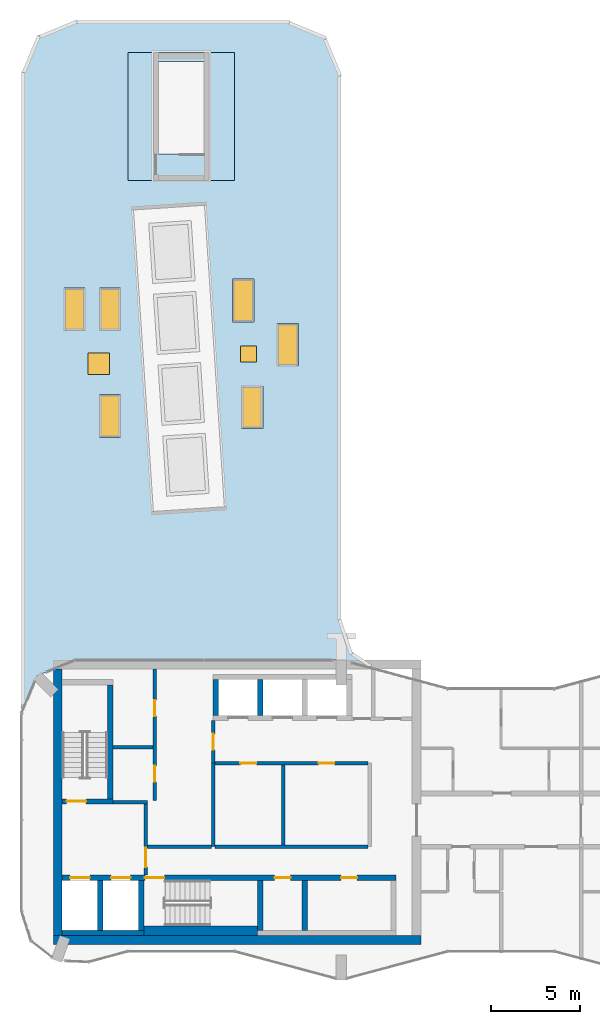
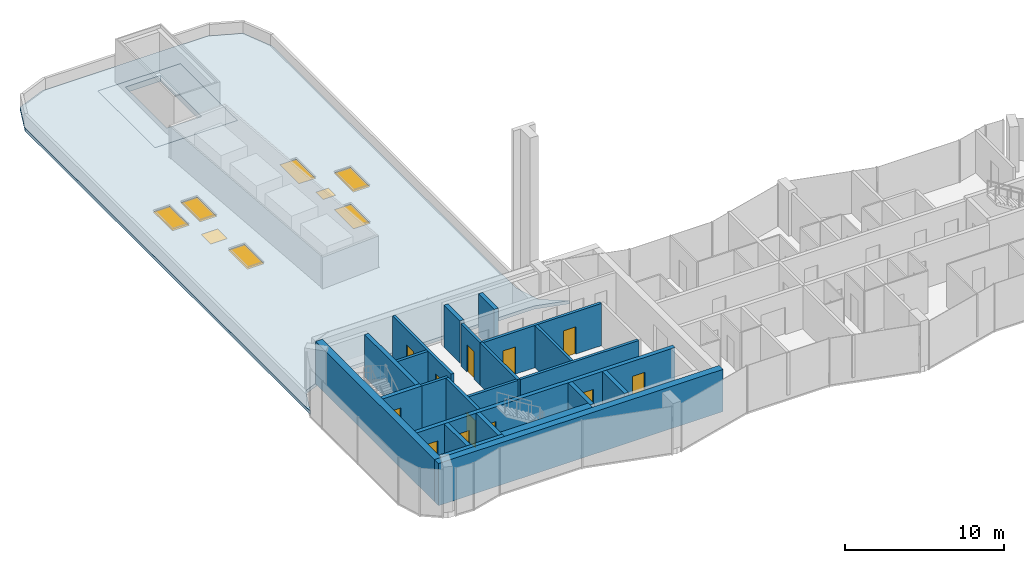
# One storey, part 7 of 13: 23 walls, 14 doors, 6 windows, 2 slabs, 20 openings.
"""IFC4 building model written with IfcOpenShell, lengths in metres."""

from ifc_helpers import new_model, si_unit, direction, frame, frame_2d, origin, origin_2d, place, context, subcontext, project, spatial, polyline, rectangle, outline, extrude, material, layer, layer_set, type_object, element, fill, save


model = new_model("IFC4")

# Units and contexts
model_context = context("Model", 3, precision=1e-05, world=origin(), true_north=direction((0.0, 1.0)))
body_context = subcontext(model_context, "Body", "Model", "MODEL_VIEW")
ifc_project = project(units=[si_unit("LENGTHUNIT", "METRE"), si_unit("AREAUNIT", "SQUARE_METRE"), si_unit("VOLUMEUNIT", "CUBIC_METRE"), si_unit("PLANEANGLEUNIT", "RADIAN"), si_unit("MASSUNIT", "GRAM", prefix="KILO")], contexts=[model_context])

# Site, building, storey
site_placement = place(None, origin())
site = spatial("IfcSite", under=ifc_project, at=site_placement, CompositionType="ELEMENT")
building_placement = place(site_placement, origin())
building = spatial("IfcBuilding", under=site, at=building_placement, Name="Plateau Cross Towers", CompositionType="ELEMENT")
storey_placement = place(building_placement, frame((0.0, 0.0, 229.39990234375)))
storey = spatial("IfcBuildingStorey", under=building, at=storey_placement, Name="L60", CompositionType="ELEMENT", Elevation=229.39990234375)

# Slab, openings, doors, windows
ifc_material_1 = material(Name="Concrete C40/50", Category="concrete")
ifc_layer_1 = layer(ifc_material_1, 0.25)
ifc_layer_set_1 = layer_set([ifc_layer_1], Name="Concrete C40/50")
slab_type_1 = type_object("IfcSlabType", Name="Post-tensioned roof slab 250", PredefinedType="ROOF", material=ifc_layer_set_1)
slab_1_placement = place(storey_placement, frame((0.0, 0.0, -0.25)))
slab_1 = element("IfcSlab", 1, at=slab_1_placement, inside=storey, type_object=slab_type_1, Name="SL-A-west-roof", PredefinedType="ROOF", context=body_context, shape_type="SweptSolid", body=[
    extrude(outline(polyline([(15.0, 54.0), (17.121337890625, 53.121337890625), (18.0, 51.0), (18.0, 20.30224609375), (18.6201171875, 18.475830078125), (20.21435546875, 17.410888671875), (20.212646484375, 17.407470703125), (18.0, 18.0), (3.0, 18.0), (0.878662109375, 17.121337890625), (0.00048828125, 15.001220703125), (0.0, 15.001220703125), (0.0, 51.0), (0.878662109375, 53.121337890625), (3.0, 54.0), (15.0, 54.0)]), holes=[polyline([(12.0, 52.199951171875), (6.0, 52.199951171875), (6.0, 45.0), (12.0, 45.0), (12.0, 52.199951171875)])]), origin(), (0.0, 0.0, 1.0), 0.25),
])
opening_1_placement = place(slab_1_placement, frame((12.780517578125, 35.244140625, 0.0)))
opening_1 = element("IfcOpeningElement", 2, at=opening_1_placement, cuts=slab_1, Name="Opening RH1", PredefinedType="OPENING", context=body_context, shape_type="SweptSolid", body=[
    extrude(rectangle(XDim=0.89990234375, YDim=0.89990234375, at=origin_2d()), origin(), (0.0, 0.0, 1.0), 0.25),
])
opening_2_placement = place(slab_1_placement, frame((4.35888671875, 34.68896484375, 0.0)))
opening_2 = element("IfcOpeningElement", 3, at=opening_2_placement, cuts=slab_1, Name="Opening RH2", PredefinedType="OPENING", context=body_context, shape_type="SweptSolid", body=[
    extrude(rectangle(XDim=1.199951171875, YDim=1.199951171875, at=origin_2d()), origin(), (0.0, 0.0, 1.0), 0.25),
])
opening_3_placement = place(slab_1_placement, frame((4.988037109375, 31.743896484375, 0.0)))
opening_3 = element("IfcOpeningElement", 4, at=opening_3_placement, cuts=slab_1, Name="Opening RL1", PredefinedType="OPENING", context=body_context, shape_type="SweptSolid", body=[
    extrude(rectangle(XDim=1.199951171875, YDim=2.39990234375, at=origin_2d()), origin(), (0.0, 0.0, 1.0), 0.25),
])
opening_4_placement = place(slab_1_placement, frame((12.988037109375, 32.243896484375, 0.0)))
opening_4 = element("IfcOpeningElement", 5, at=opening_4_placement, cuts=slab_1, Name="Opening RL1", PredefinedType="OPENING", context=body_context, shape_type="SweptSolid", body=[
    extrude(rectangle(XDim=1.199951171875, YDim=2.39990234375, at=origin_2d()), origin(), (0.0, 0.0, 1.0), 0.25),
])
opening_5_placement = place(slab_1_placement, frame((14.988037109375, 35.743896484375, 0.0)))
opening_5 = element("IfcOpeningElement", 6, at=opening_5_placement, cuts=slab_1, Name="Opening RL1", PredefinedType="OPENING", context=body_context, shape_type="SweptSolid", body=[
    extrude(rectangle(XDim=1.199951171875, YDim=2.39990234375, at=origin_2d()), origin(), (0.0, 0.0, 1.0), 0.25),
])
opening_6_placement = place(slab_1_placement, frame((2.988037109375, 37.743896484375, 0.0)))
opening_6 = element("IfcOpeningElement", 7, at=opening_6_placement, cuts=slab_1, Name="Opening RL1", PredefinedType="OPENING", context=body_context, shape_type="SweptSolid", body=[
    extrude(rectangle(XDim=1.199951171875, YDim=2.39990234375, at=origin_2d()), origin(), (0.0, 0.0, 1.0), 0.25),
])
opening_7_placement = place(slab_1_placement, frame((4.988037109375, 37.743896484375, 0.0)))
opening_7 = element("IfcOpeningElement", 8, at=opening_7_placement, cuts=slab_1, Name="Opening RL1", PredefinedType="OPENING", context=body_context, shape_type="SweptSolid", body=[
    extrude(rectangle(XDim=1.199951171875, YDim=2.39990234375, at=origin_2d()), origin(), (0.0, 0.0, 1.0), 0.25),
])
opening_8_placement = place(slab_1_placement, frame((12.488037109375, 38.243896484375, 0.0)))
opening_8 = element("IfcOpeningElement", 9, at=opening_8_placement, cuts=slab_1, Name="Opening RL1", PredefinedType="OPENING", context=body_context, shape_type="SweptSolid", body=[
    extrude(rectangle(XDim=1.199951171875, YDim=2.39990234375, at=origin_2d()), origin(), (0.0, 0.0, 1.0), 0.25),
])
ifc_material_2 = material(Name="Insulated aluminium", Category="aluminium")
door_type_1 = type_object("IfcDoorType", Name="Roof access hatch 1200", OperationType="SINGLE_SWING_LEFT", PredefinedType="TRAPDOOR", material=ifc_material_2)
door_1_placement = place(opening_2_placement, frame((0.0, 0.0, 0.199951171875)))
door_1 = element("IfcDoor", 10, at=door_1_placement, inside=storey, type_object=door_type_1, Name="Plant replacement hatch", OperationType="SINGLE_SWING_LEFT", OverallHeight=1.199951171875, OverallWidth=1.199951171875, PredefinedType="TRAPDOOR", context=body_context, shape_type="SweptSolid", body=[
    extrude(rectangle(XDim=1.199951171875, YDim=1.199951171875, at=origin_2d()), origin(), (0.0, 0.0, 1.0), 0.050048828125),
])
fill(opening_2, door_1)
door_type_2 = type_object("IfcDoorType", Name="Roof access hatch 900", OperationType="SINGLE_SWING_LEFT", PredefinedType="TRAPDOOR", material=ifc_material_2)
door_2_placement = place(opening_1_placement, frame((0.0, 0.0, 0.199951171875)))
door_2 = element("IfcDoor", 11, at=door_2_placement, inside=storey, type_object=door_type_2, Name="Roof access hatch", OperationType="SINGLE_SWING_LEFT", OverallHeight=0.89990234375, OverallWidth=0.89990234375, PredefinedType="TRAPDOOR", context=body_context, shape_type="SweptSolid", body=[
    extrude(rectangle(XDim=0.89990234375, YDim=0.89990234375, at=origin_2d()), origin(), (0.0, 0.0, 1.0), 0.050048828125),
])
fill(opening_1, door_2)
ifc_material_3 = material(Name="Aluminium framed glazing", Category="aluminium")
window_type = type_object("IfcWindowType", Name="Rooflight 1200x2400", PartitioningType="SINGLE_PANEL", PredefinedType="SKYLIGHT", material=ifc_material_3)
window_1_placement = place(opening_3_placement, frame((0.0, 0.0, 0.199951171875)))
window_1 = element("IfcWindow", 12, at=window_1_placement, inside=storey, type_object=window_type, Name="Rooflight RL1 1", OverallHeight=2.39990234375, OverallWidth=1.199951171875, PartitioningType="SINGLE_PANEL", PredefinedType="SKYLIGHT", context=body_context, shape_type="SweptSolid", body=[
    extrude(rectangle(XDim=1.199951171875, YDim=2.39990234375, at=origin_2d()), origin(), (0.0, 0.0, 1.0), 0.050048828125),
])
fill(opening_3, window_1)
window_2_placement = place(opening_4_placement, frame((0.0, 0.0, 0.199951171875)))
window_2 = element("IfcWindow", 13, at=window_2_placement, inside=storey, type_object=window_type, Name="Rooflight RL1 2", OverallHeight=2.39990234375, OverallWidth=1.199951171875, PartitioningType="SINGLE_PANEL", PredefinedType="SKYLIGHT", context=body_context, shape_type="SweptSolid", body=[
    extrude(rectangle(XDim=1.199951171875, YDim=2.39990234375, at=origin_2d()), origin(), (0.0, 0.0, 1.0), 0.050048828125),
])
fill(opening_4, window_2)
window_3_placement = place(opening_5_placement, frame((0.0, 0.0, 0.199951171875)))
window_3 = element("IfcWindow", 14, at=window_3_placement, inside=storey, type_object=window_type, Name="Rooflight RL1 3", OverallHeight=2.39990234375, OverallWidth=1.199951171875, PartitioningType="SINGLE_PANEL", PredefinedType="SKYLIGHT", context=body_context, shape_type="SweptSolid", body=[
    extrude(rectangle(XDim=1.199951171875, YDim=2.39990234375, at=origin_2d()), origin(), (0.0, 0.0, 1.0), 0.050048828125),
])
fill(opening_5, window_3)
window_4_placement = place(opening_6_placement, frame((0.0, 0.0, 0.199951171875)))
window_4 = element("IfcWindow", 15, at=window_4_placement, inside=storey, type_object=window_type, Name="Rooflight RL1 4", OverallHeight=2.39990234375, OverallWidth=1.199951171875, PartitioningType="SINGLE_PANEL", PredefinedType="SKYLIGHT", context=body_context, shape_type="SweptSolid", body=[
    extrude(rectangle(XDim=1.199951171875, YDim=2.39990234375, at=origin_2d()), origin(), (0.0, 0.0, 1.0), 0.050048828125),
])
fill(opening_6, window_4)
window_5_placement = place(opening_7_placement, frame((0.0, 0.0, 0.199951171875)))
window_5 = element("IfcWindow", 16, at=window_5_placement, inside=storey, type_object=window_type, Name="Rooflight RL1 5", OverallHeight=2.39990234375, OverallWidth=1.199951171875, PartitioningType="SINGLE_PANEL", PredefinedType="SKYLIGHT", context=body_context, shape_type="SweptSolid", body=[
    extrude(rectangle(XDim=1.199951171875, YDim=2.39990234375, at=origin_2d()), origin(), (0.0, 0.0, 1.0), 0.050048828125),
])
fill(opening_7, window_5)
window_6_placement = place(opening_8_placement, frame((0.0, 0.0, 0.199951171875)))
window_6 = element("IfcWindow", 17, at=window_6_placement, inside=storey, type_object=window_type, Name="Rooflight RL1 6", OverallHeight=2.39990234375, OverallWidth=1.199951171875, PartitioningType="SINGLE_PANEL", PredefinedType="SKYLIGHT", context=body_context, shape_type="SweptSolid", body=[
    extrude(rectangle(XDim=1.199951171875, YDim=2.39990234375, at=origin_2d()), origin(), (0.0, 0.0, 1.0), 0.050048828125),
])
fill(opening_8, window_6)

# Slab
ifc_layer_2 = layer(ifc_material_1, 0.449951171875)
ifc_layer_set_2 = layer_set([ifc_layer_2], Name="Concrete C40/50")
slab_type_2 = type_object("IfcSlabType", Name="Stair head landing slab 450", PredefinedType="LANDING", material=ifc_layer_set_2)
slab_2_placement = place(storey_placement, frame((0.0, 0.0, -0.449951171875)))
element("IfcSlab", 18, at=slab_2_placement, inside=storey, type_object=slab_type_2, Name="SL-A-end-N-HH", PredefinedType="LANDING", context=body_context, shape_type="SweptSolid", body=[
    extrude(outline(polyline([(6.0, 45.0), (6.0, 52.199951171875), (12.0, 52.199951171875), (12.0, 45.0), (6.0, 45.0)]), holes=[polyline([(10.27490234375, 46.5), (10.27490234375, 51.699951171875), (7.72509765625, 51.699951171875), (7.72509765625, 46.5), (10.27490234375, 46.5)])]), origin(), (0.0, 0.0, 1.0), 0.449951171875),
])

# Wall, opening, door
ifc_material_4 = material(Name="Concrete block, plastered both sides", Category="concrete")
ifc_layer_3 = layer(ifc_material_4, 0.199951171875)
ifc_layer_set_3 = layer_set([ifc_layer_3], Name="Concrete block, plastered both sides")
wall_type_1 = type_object("IfcWallType", Name="Core partition 200", PredefinedType="PARTITIONING", material=ifc_layer_set_3)
wall_1_placement = place(storey_placement, frame((7.0, 5.89990234375, 0.0), z_axis=(0.0, 0.0, 1.0), x_axis=(0.0, 1.0, 0.0)))
wall_1 = element("IfcWall", 19, at=wall_1_placement, inside=storey, type_object=wall_type_1, Name="Core partition", PredefinedType="PARTITIONING", context=body_context, shape_type="SweptSolid", body=[
    extrude(rectangle(XDim=4.0, YDim=0.199951171875, at=frame_2d((2.0, 0.0))), origin(), (0.0, 0.0, 1.0), 3.25),
])
opening_9_placement = place(wall_1_placement, frame((0.449951171875, 0.0, 0.0)))
opening_9 = element("IfcOpeningElement", 20, at=opening_9_placement, cuts=wall_1, Name="Opening FFD", PredefinedType="OPENING", context=body_context, shape_type="SweptSolid", body=[
    extrude(rectangle(XDim=1.10009765625, YDim=2.10009765625, at=frame_2d((0.550048828125, 1.050048828125))), frame((0.0, 0.10986328125, 0.0), z_axis=(0.0, -1.0, 0.0), x_axis=(1.0, 0.0, 0.0)), (0.0, 0.0, 1.0), 0.219970703125),
])
ifc_material_5 = material(Name="Steel, fire-resisting leaf", Category="steel")
door_type_3 = type_object("IfcDoorType", Name="Firefighting lobby door 1100", OperationType="NOTDEFINED", PredefinedType="DOOR", material=ifc_material_5)
door_3_placement = place(opening_9_placement, origin())
door_3 = element("IfcDoor", 21, at=door_3_placement, inside=storey, type_object=door_type_3, Name="Firefighting lobby door FFD", OperationType="SINGLE_SWING_LEFT", OverallHeight=2.10009765625, OverallWidth=1.10009765625, PredefinedType="DOOR", context=body_context, shape_type="SweptSolid", body=[
    extrude(rectangle(XDim=1.10009765625, YDim=2.10009765625, at=frame_2d((0.550048828125, 1.050048828125))), frame((0.0, 0.02490234375, 0.0), z_axis=(0.0, -1.0, 0.0), x_axis=(1.0, 0.0, 0.0)), (0.0, 0.0, 1.0), 0.050048828125),
])
fill(opening_9, door_3)

# Walls
wall_2_placement = place(storey_placement, frame((5.14990234375, 10.0, 0.0), z_axis=(0.0, 0.0, 1.0), x_axis=(1.0, 0.0, 0.0)))
element("IfcWall", 22, at=wall_2_placement, inside=storey, type_object=wall_type_1, Name="Core partition", PredefinedType="PARTITIONING", context=body_context, shape_type="SweptSolid", body=[
    extrude(rectangle(XDim=1.9501953125, YDim=0.199951171875, at=frame_2d((0.97509765625, 0.0))), origin(), (0.0, 0.0, 1.0), 3.25),
])
wall_3_placement = place(storey_placement, frame((7.10009765625, 7.5, 0.0), z_axis=(0.0, 0.0, 1.0), x_axis=(1.0, 0.0, 0.0)))
element("IfcWall", 23, at=wall_3_placement, inside=storey, type_object=wall_type_1, Name="Core partition", PredefinedType="PARTITIONING", context=body_context, shape_type="SweptSolid", body=[
    extrude(rectangle(XDim=3.599853515625, YDim=0.199951171875, at=frame_2d((1.7998046875, 0.0))), origin(), (0.0, 0.0, 1.0), 3.25),
])

# Wall, opening, door
wall_4_placement = place(storey_placement, frame((10.800048828125, 12.199951171875, 0.0), z_axis=(0.0, 0.0, 1.0), x_axis=(0.0, 1.0, 0.0)))
wall_4 = element("IfcWall", 24, at=wall_4_placement, inside=storey, type_object=wall_type_1, Name="Core partition", PredefinedType="PARTITIONING", context=body_context, shape_type="SweptSolid", body=[
    extrude(rectangle(XDim=2.400146484375, YDim=0.199951171875, at=frame_2d((1.2001953125, 0.0))), origin(), (0.0, 0.0, 1.0), 3.25),
])
opening_10_placement = place(wall_4_placement, frame((0.75, 0.0, 0.0)))
opening_10 = element("IfcOpeningElement", 25, at=opening_10_placement, cuts=wall_4, Name="Opening RD1", PredefinedType="OPENING", context=body_context, shape_type="SweptSolid", body=[
    extrude(rectangle(XDim=0.89990234375, YDim=2.10009765625, at=frame_2d((0.449951171875, 1.050048828125))), frame((0.0, 0.10986328125, 0.0), z_axis=(0.0, -1.0, 0.0), x_axis=(1.0, 0.0, 0.0)), (0.0, 0.0, 1.0), 0.219970703125),
])
ifc_material_6 = material(Name="Timber, fire-resisting leaf", Category="wood")
door_type_4 = type_object("IfcDoorType", Name="Core service door 900", OperationType="NOTDEFINED", PredefinedType="DOOR", material=ifc_material_6)
door_4_placement = place(opening_10_placement, origin())
door_4 = element("IfcDoor", 26, at=door_4_placement, inside=storey, type_object=door_type_4, Name="Core service door RD1", OperationType="SINGLE_SWING_LEFT", OverallHeight=2.10009765625, OverallWidth=0.89990234375, PredefinedType="DOOR", context=body_context, shape_type="SweptSolid", body=[
    extrude(rectangle(XDim=0.89990234375, YDim=2.10009765625, at=frame_2d((0.449951171875, 1.050048828125))), frame((0.0, 0.02490234375, 0.0), z_axis=(0.0, -1.0, 0.0), x_axis=(1.0, 0.0, 0.0)), (0.0, 0.0, 1.0), 0.050048828125),
])
fill(opening_10, door_4)

# Walls
wall_5_placement = place(storey_placement, frame((10.800048828125, 7.5, 0.0), z_axis=(0.0, 0.0, 1.0), x_axis=(0.0, 1.0, 0.0)))
element("IfcWall", 27, at=wall_5_placement, inside=storey, type_object=wall_type_1, Name="Core partition", PredefinedType="PARTITIONING", context=body_context, shape_type="SweptSolid", body=[
    extrude(rectangle(XDim=4.699951171875, YDim=0.199951171875, at=frame_2d((2.35009765625, 0.0))), origin(), (0.0, 0.0, 1.0), 3.25),
])
wall_6_placement = place(storey_placement, frame((10.89990234375, 7.5, 0.0), z_axis=(0.0, 0.0, 1.0), x_axis=(1.0, 0.0, 0.0)))
element("IfcWall", 28, at=wall_6_placement, inside=storey, type_object=wall_type_1, Name="Core partition", PredefinedType="PARTITIONING", context=body_context, shape_type="SweptSolid", body=[
    extrude(rectangle(XDim=8.60009765625, YDim=0.199951171875, at=frame_2d((4.300048828125, 0.0))), origin(), (0.0, 0.0, 1.0), 3.25),
])

# Wall, openings, doors
wall_7_placement = place(storey_placement, frame((10.89990234375, 12.199951171875, 0.0), z_axis=(0.0, 0.0, 1.0), x_axis=(1.0, 0.0, 0.0)))
wall_7 = element("IfcWall", 29, at=wall_7_placement, inside=storey, type_object=wall_type_1, Name="Core partition", PredefinedType="PARTITIONING", context=body_context, shape_type="SweptSolid", body=[
    extrude(rectangle(XDim=8.60009765625, YDim=0.199951171875, at=frame_2d((4.300048828125, 0.0))), origin(), (0.0, 0.0, 1.0), 3.25),
])
opening_11_placement = place(wall_7_placement, frame((1.425048828125, 0.0, 0.0)))
opening_11 = element("IfcOpeningElement", 30, at=opening_11_placement, cuts=wall_7, Name="Opening RD1", PredefinedType="OPENING", context=body_context, shape_type="SweptSolid", body=[
    extrude(rectangle(XDim=0.89990234375, YDim=2.10009765625, at=frame_2d((0.449951171875, 1.050048828125))), frame((0.0, 0.10986328125, 0.0), z_axis=(0.0, -1.0, 0.0), x_axis=(1.0, 0.0, 0.0)), (0.0, 0.0, 1.0), 0.219970703125),
])
opening_12_placement = place(wall_7_placement, frame((5.824951171875, 0.0, 0.0)))
opening_12 = element("IfcOpeningElement", 31, at=opening_12_placement, cuts=wall_7, Name="Opening RD1", PredefinedType="OPENING", context=body_context, shape_type="SweptSolid", body=[
    extrude(rectangle(XDim=0.89990234375, YDim=2.10009765625, at=frame_2d((0.449951171875, 1.050048828125))), frame((0.0, 0.10986328125, 0.0), z_axis=(0.0, -1.0, 0.0), x_axis=(1.0, 0.0, 0.0)), (0.0, 0.0, 1.0), 0.219970703125),
])
door_5_placement = place(opening_11_placement, origin())
door_5 = element("IfcDoor", 32, at=door_5_placement, inside=storey, type_object=door_type_4, Name="Core service door RD1", OperationType="SINGLE_SWING_LEFT", OverallHeight=2.10009765625, OverallWidth=0.89990234375, PredefinedType="DOOR", context=body_context, shape_type="SweptSolid", body=[
    extrude(rectangle(XDim=0.89990234375, YDim=2.10009765625, at=frame_2d((0.449951171875, 1.050048828125))), frame((0.0, 0.02490234375, 0.0), z_axis=(0.0, -1.0, 0.0), x_axis=(1.0, 0.0, 0.0)), (0.0, 0.0, 1.0), 0.050048828125),
])
fill(opening_11, door_5)
door_6_placement = place(opening_12_placement, origin())
door_6 = element("IfcDoor", 33, at=door_6_placement, inside=storey, type_object=door_type_4, Name="Core service door RD1", OperationType="SINGLE_SWING_LEFT", OverallHeight=2.10009765625, OverallWidth=0.89990234375, PredefinedType="DOOR", context=body_context, shape_type="SweptSolid", body=[
    extrude(rectangle(XDim=0.89990234375, YDim=2.10009765625, at=frame_2d((0.449951171875, 1.050048828125))), frame((0.0, 0.02490234375, 0.0), z_axis=(0.0, -1.0, 0.0), x_axis=(1.0, 0.0, 0.0)), (0.0, 0.0, 1.0), 0.050048828125),
])
fill(opening_12, door_6)

# Wall
wall_8_placement = place(storey_placement, frame((14.75, 7.60009765625, 0.0), z_axis=(0.0, 0.0, 1.0), x_axis=(0.0, 1.0, 0.0)))
element("IfcWall", 34, at=wall_8_placement, inside=storey, type_object=wall_type_1, Name="Core partition", PredefinedType="PARTITIONING", context=body_context, shape_type="SweptSolid", body=[
    extrude(rectangle(XDim=4.5, YDim=0.199951171875, at=frame_2d((2.25, 0.0))), origin(), (0.0, 0.0, 1.0), 3.25),
])

# Wall, openings, doors
wall_9_placement = place(storey_placement, frame((7.5, 10.10009765625, 0.0), z_axis=(0.0, 0.0, 1.0), x_axis=(0.0, 1.0, 0.0)))
wall_9 = element("IfcWall", 35, at=wall_9_placement, inside=storey, type_object=wall_type_1, Name="Core partition", PredefinedType="PARTITIONING", context=body_context, shape_type="SweptSolid", body=[
    extrude(rectangle(XDim=7.39990234375, YDim=0.199951171875, at=frame_2d((3.699951171875, 0.0))), origin(), (0.0, 0.0, 1.0), 3.25),
])
opening_13_placement = place(wall_9_placement, frame((1.050048828125, 0.0, 0.0)))
opening_13 = element("IfcOpeningElement", 36, at=opening_13_placement, cuts=wall_9, Name="Opening RD1", PredefinedType="OPENING", context=body_context, shape_type="SweptSolid", body=[
    extrude(rectangle(XDim=0.89990234375, YDim=2.10009765625, at=frame_2d((0.449951171875, 1.050048828125))), frame((0.0, 0.10986328125, 0.0), z_axis=(0.0, -1.0, 0.0), x_axis=(1.0, 0.0, 0.0)), (0.0, 0.0, 1.0), 0.219970703125),
])
opening_14_placement = place(wall_9_placement, frame((4.75, 0.0, 0.0)))
opening_14 = element("IfcOpeningElement", 37, at=opening_14_placement, cuts=wall_9, Name="Opening RD1", PredefinedType="OPENING", context=body_context, shape_type="SweptSolid", body=[
    extrude(rectangle(XDim=0.89990234375, YDim=2.10009765625, at=frame_2d((0.449951171875, 1.050048828125))), frame((0.0, 0.10986328125, 0.0), z_axis=(0.0, -1.0, 0.0), x_axis=(1.0, 0.0, 0.0)), (0.0, 0.0, 1.0), 0.219970703125),
])
door_7_placement = place(opening_13_placement, origin())
door_7 = element("IfcDoor", 38, at=door_7_placement, inside=storey, type_object=door_type_4, Name="Core service door RD1", OperationType="SINGLE_SWING_RIGHT", OverallHeight=2.10009765625, OverallWidth=0.89990234375, PredefinedType="DOOR", context=body_context, shape_type="SweptSolid", body=[
    extrude(rectangle(XDim=0.89990234375, YDim=2.10009765625, at=frame_2d((0.449951171875, 1.050048828125))), frame((0.0, 0.02490234375, 0.0), z_axis=(0.0, -1.0, 0.0), x_axis=(1.0, 0.0, 0.0)), (0.0, 0.0, 1.0), 0.050048828125),
])
fill(opening_13, door_7)
door_8_placement = place(opening_14_placement, origin())
door_8 = element("IfcDoor", 39, at=door_8_placement, inside=storey, type_object=door_type_4, Name="Core service door RD1", OperationType="SINGLE_SWING_RIGHT", OverallHeight=2.10009765625, OverallWidth=0.89990234375, PredefinedType="DOOR", context=body_context, shape_type="SweptSolid", body=[
    extrude(rectangle(XDim=0.89990234375, YDim=2.10009765625, at=frame_2d((0.449951171875, 1.050048828125))), frame((0.0, 0.02490234375, 0.0), z_axis=(0.0, -1.0, 0.0), x_axis=(1.0, 0.0, 0.0)), (0.0, 0.0, 1.0), 0.050048828125),
])
fill(opening_14, door_8)

# Walls
wall_10_placement = place(storey_placement, frame((5.14990234375, 13.10009765625, 0.0), z_axis=(0.0, 0.0, 1.0), x_axis=(1.0, 0.0, 0.0)))
element("IfcWall", 40, at=wall_10_placement, inside=storey, type_object=wall_type_1, Name="Core partition", PredefinedType="PARTITIONING", context=body_context, shape_type="SweptSolid", body=[
    extrude(rectangle(XDim=2.25, YDim=0.199951171875, at=frame_2d((1.125, 0.0))), origin(), (0.0, 0.0, 1.0), 3.25),
])
ifc_material_7 = material(Name="Concrete C60/75", Category="concrete")
ifc_layer_4 = layer(ifc_material_7, 0.300048828125)
ifc_layer_set_4 = layer_set([ifc_layer_4], Name="Concrete C60/75")
wall_type_2 = type_object("IfcWallType", Name="Core shaft wall 300", PredefinedType="SHEAR", material=ifc_layer_set_4)
wall_11_placement = place(storey_placement, frame((2.300048828125, 2.64990234375, 0.0), z_axis=(0.0, 0.0, 1.0), x_axis=(1.0, 0.0, 0.0)))
element("IfcWall", 41, at=wall_11_placement, inside=storey, type_object=wall_type_2, Name="A-sb-back1@L60", PredefinedType="SHEAR", context=body_context, shape_type="SweptSolid", body=[
    extrude(rectangle(XDim=4.599853515625, YDim=0.300048828125, at=frame_2d((2.2998046875, 0.0))), origin(), (0.0, 0.0, 1.0), 3.25),
])
for number, where, z_axis, x_axis, name in (
    (42, (4.449951171875, 2.800048828125, 0.0), (0.0, 0.0, 1.0), (0.0, 1.0, 0.0), "A-sb-v1@L60"),
    (43, (6.75, 2.800048828125, 0.0), (0.0, 0.0, 1.0), (0.0, 1.0, 0.0), "A-sb-v2@L60"),
    (44, (13.449951171875, 2.800048828125, 0.0), (0.0, 0.0, 1.0), (0.0, 1.0, 0.0), "A-sb-v3@L60"),
    (45, (15.949951171875, 2.800048828125, 0.0), (0.0, 0.0, 1.0), (0.0, 1.0, 0.0), "A-sb-v4@L60"),
):
    element("IfcWall", number, at=place(storey_placement, frame(where, z_axis=z_axis, x_axis=x_axis)), inside=storey, type_object=wall_type_2, Name=name, PredefinedType="SHEAR", context=body_context, shape_type="SweptSolid", body=[
        extrude(rectangle(XDim=2.800048828125, YDim=0.300048828125, at=frame_2d((1.39990234375, 0.0))), origin(), (0.0, 0.0, 1.0), 3.25),
    ])

# Wall, openings, doors
wall_12_placement = place(storey_placement, frame((2.300048828125, 5.75, 0.0), z_axis=(0.0, 0.0, 1.0), x_axis=(1.0, 0.0, 0.0)))
wall_12 = element("IfcWall", 46, at=wall_12_placement, inside=storey, type_object=wall_type_2, Name="A-sb-front@L60", PredefinedType="SHEAR", context=body_context, shape_type="SweptSolid", body=[
    extrude(rectangle(XDim=18.800048828125, YDim=0.300048828125, at=frame_2d((9.39990234375, 0.0))), origin(), (0.0, 0.0, 1.0), 3.25),
])
opening_15_placement = place(wall_12_placement, frame((4.64990234375, 0.0, 0.0)))
opening_15 = element("IfcOpeningElement", 47, at=opening_15_placement, cuts=wall_12, Name="Opening SD", PredefinedType="OPENING", context=body_context, shape_type="SweptSolid", body=[
    extrude(rectangle(XDim=1.10009765625, YDim=2.10009765625, at=frame_2d((0.550048828125, 1.050048828125))), frame((0.0, 0.159912109375, 0.0), z_axis=(0.0, -1.0, 0.0), x_axis=(1.0, 0.0, 0.0)), (0.0, 0.0, 1.0), 0.320068359375),
])
opening_16_placement = place(wall_12_placement, frame((0.449951171875, 0.0, 0.0)))
opening_16 = element("IfcOpeningElement", 48, at=opening_16_placement, cuts=wall_12, Name="Opening LD", PredefinedType="OPENING", context=body_context, shape_type="SweptSolid", body=[
    extrude(rectangle(XDim=1.10009765625, YDim=2.10009765625, at=frame_2d((0.550048828125, 1.050048828125))), frame((0.0, 0.159912109375, 0.0), z_axis=(0.0, -1.0, 0.0), x_axis=(1.0, 0.0, 0.0)), (0.0, 0.0, 1.0), 0.320068359375),
])
opening_17_placement = place(wall_12_placement, frame((2.75, 0.0, 0.0)))
opening_17 = element("IfcOpeningElement", 49, at=opening_17_placement, cuts=wall_12, Name="Opening LD", PredefinedType="OPENING", context=body_context, shape_type="SweptSolid", body=[
    extrude(rectangle(XDim=1.10009765625, YDim=2.10009765625, at=frame_2d((0.550048828125, 1.050048828125))), frame((0.0, 0.159912109375, 0.0), z_axis=(0.0, -1.0, 0.0), x_axis=(1.0, 0.0, 0.0)), (0.0, 0.0, 1.0), 0.320068359375),
])
opening_18_placement = place(wall_12_placement, frame((11.949951171875, 0.0, 0.0)))
opening_18 = element("IfcOpeningElement", 50, at=opening_18_placement, cuts=wall_12, Name="Opening RD2", PredefinedType="OPENING", context=body_context, shape_type="SweptSolid", body=[
    extrude(rectangle(XDim=0.89990234375, YDim=2.10009765625, at=frame_2d((0.449951171875, 1.050048828125))), frame((0.0, 0.159912109375, 0.0), z_axis=(0.0, -1.0, 0.0), x_axis=(1.0, 0.0, 0.0)), (0.0, 0.0, 1.0), 0.320068359375),
])
opening_19_placement = place(wall_12_placement, frame((15.699951171875, 0.0, 0.0)))
opening_19 = element("IfcOpeningElement", 51, at=opening_19_placement, cuts=wall_12, Name="Opening RD2", PredefinedType="OPENING", context=body_context, shape_type="SweptSolid", body=[
    extrude(rectangle(XDim=0.89990234375, YDim=2.10009765625, at=frame_2d((0.449951171875, 1.050048828125))), frame((0.0, 0.159912109375, 0.0), z_axis=(0.0, -1.0, 0.0), x_axis=(1.0, 0.0, 0.0)), (0.0, 0.0, 1.0), 0.320068359375),
])
door_type_5 = type_object("IfcDoorType", Name="Core riser door 900", OperationType="NOTDEFINED", PredefinedType="DOOR", material=ifc_material_5)
door_9_placement = place(opening_18_placement, origin())
door_9 = element("IfcDoor", 52, at=door_9_placement, inside=storey, type_object=door_type_5, Name="Core riser door RD2", OperationType="SINGLE_SWING_LEFT", OverallHeight=2.10009765625, OverallWidth=0.89990234375, PredefinedType="DOOR", context=body_context, shape_type="SweptSolid", body=[
    extrude(rectangle(XDim=0.89990234375, YDim=2.10009765625, at=frame_2d((0.449951171875, 1.050048828125))), frame((0.0, 0.02490234375, 0.0), z_axis=(0.0, -1.0, 0.0), x_axis=(1.0, 0.0, 0.0)), (0.0, 0.0, 1.0), 0.050048828125),
])
fill(opening_18, door_9)
door_10_placement = place(opening_19_placement, origin())
door_10 = element("IfcDoor", 53, at=door_10_placement, inside=storey, type_object=door_type_5, Name="Core riser door RD2", OperationType="SINGLE_SWING_LEFT", OverallHeight=2.10009765625, OverallWidth=0.89990234375, PredefinedType="DOOR", context=body_context, shape_type="SweptSolid", body=[
    extrude(rectangle(XDim=0.89990234375, YDim=2.10009765625, at=frame_2d((0.449951171875, 1.050048828125))), frame((0.0, 0.02490234375, 0.0), z_axis=(0.0, -1.0, 0.0), x_axis=(1.0, 0.0, 0.0)), (0.0, 0.0, 1.0), 0.050048828125),
])
fill(opening_19, door_10)
ifc_material_8 = material(Name="Stainless steel, fire-resisting sliding leaves", Category="steel")
door_type_6 = type_object("IfcDoorType", Name="Lift landing door 1100", OperationType="NOTDEFINED", PredefinedType="DOOR", material=ifc_material_8)
door_11_placement = place(opening_16_placement, origin())
door_11 = element("IfcDoor", 54, at=door_11_placement, inside=storey, type_object=door_type_6, Name="Lift landing door LD", OperationType="DOUBLE_DOOR_SLIDING", OverallHeight=2.10009765625, OverallWidth=1.10009765625, PredefinedType="DOOR", context=body_context, shape_type="SweptSolid", body=[
    extrude(rectangle(XDim=1.10009765625, YDim=2.10009765625, at=frame_2d((0.550048828125, 1.050048828125))), frame((0.0, 0.02490234375, 0.0), z_axis=(0.0, -1.0, 0.0), x_axis=(1.0, 0.0, 0.0)), (0.0, 0.0, 1.0), 0.050048828125),
])
fill(opening_16, door_11)
door_12_placement = place(opening_17_placement, origin())
door_12 = element("IfcDoor", 55, at=door_12_placement, inside=storey, type_object=door_type_6, Name="Lift landing door LD", OperationType="DOUBLE_DOOR_SLIDING", OverallHeight=2.10009765625, OverallWidth=1.10009765625, PredefinedType="DOOR", context=body_context, shape_type="SweptSolid", body=[
    extrude(rectangle(XDim=1.10009765625, YDim=2.10009765625, at=frame_2d((0.550048828125, 1.050048828125))), frame((0.0, 0.02490234375, 0.0), z_axis=(0.0, -1.0, 0.0), x_axis=(1.0, 0.0, 0.0)), (0.0, 0.0, 1.0), 0.050048828125),
])
fill(opening_17, door_12)
door_type_7 = type_object("IfcDoorType", Name="Stair door 1100", OperationType="NOTDEFINED", PredefinedType="DOOR", material=ifc_material_5)
door_13_placement = place(opening_15_placement, origin())
door_13 = element("IfcDoor", 56, at=door_13_placement, inside=storey, type_object=door_type_7, Name="Stair door SD", OperationType="SINGLE_SWING_LEFT", OverallHeight=2.10009765625, OverallWidth=1.10009765625, PredefinedType="DOOR", context=body_context, shape_type="SweptSolid", body=[
    extrude(rectangle(XDim=1.10009765625, YDim=2.10009765625, at=frame_2d((0.550048828125, 1.050048828125))), frame((0.0, 0.02490234375, 0.0), z_axis=(0.0, -1.0, 0.0), x_axis=(1.0, 0.0, 0.0)), (0.0, 0.0, 1.0), 0.050048828125),
])
fill(opening_15, door_13)

# Wall, opening, door
wall_13_placement = place(storey_placement, frame((2.300048828125, 10.050048828125, 0.0), z_axis=(0.0, 0.0, 1.0), x_axis=(1.0, 0.0, 0.0)))
wall_13 = element("IfcWall", 57, at=wall_13_placement, inside=storey, type_object=wall_type_2, Name="A-st1-S@L60", PredefinedType="SHEAR", context=body_context, shape_type="SweptSolid", body=[
    extrude(rectangle(XDim=2.849853515625, YDim=0.300048828125, at=frame_2d((1.4248046875, 0.0))), origin(), (0.0, 0.0, 1.0), 3.25),
])
opening_20_placement = place(wall_13_placement, frame((0.25, 0.0, 0.0)))
opening_20 = element("IfcOpeningElement", 58, at=opening_20_placement, cuts=wall_13, Name="Opening SD", PredefinedType="OPENING", context=body_context, shape_type="SweptSolid", body=[
    extrude(rectangle(XDim=1.10009765625, YDim=2.10009765625, at=frame_2d((0.550048828125, 1.050048828125))), frame((0.0, 0.159912109375, 0.0), z_axis=(0.0, -1.0, 0.0), x_axis=(1.0, 0.0, 0.0)), (0.0, 0.0, 1.0), 0.320068359375),
])
door_14_placement = place(opening_20_placement, origin())
door_14 = element("IfcDoor", 59, at=door_14_placement, inside=storey, type_object=door_type_7, Name="Stair door SD", OperationType="SINGLE_SWING_RIGHT", OverallHeight=2.10009765625, OverallWidth=1.10009765625, PredefinedType="DOOR", context=body_context, shape_type="SweptSolid", body=[
    extrude(rectangle(XDim=1.10009765625, YDim=2.10009765625, at=frame_2d((0.550048828125, 1.050048828125))), frame((0.0, 0.02490234375, 0.0), z_axis=(0.0, -1.0, 0.0), x_axis=(1.0, 0.0, 0.0)), (0.0, 0.0, 1.0), 0.050048828125),
])
fill(opening_20, door_14)

# Walls
wall_14_placement = place(storey_placement, frame((5.0, 10.199951171875, 0.0), z_axis=(0.0, 0.0, 1.0), x_axis=(0.0, 1.0, 0.0)))
element("IfcWall", 60, at=wall_14_placement, inside=storey, type_object=wall_type_2, Name="A-st1-E@L60", PredefinedType="SHEAR", context=body_context, shape_type="SweptSolid", body=[
    extrude(rectangle(XDim=6.400146484375, YDim=0.300048828125, at=frame_2d((3.2001953125, 0.0))), origin(), (0.0, 0.0, 1.0), 3.25),
])
for number, where, z_axis, x_axis, name in (
    (61, (10.949951171875, 14.89990234375, 0.0), (0.0, 0.0, 1.0), (0.0, 1.0, 0.0), "A-nb-v1@L60"),
    (62, (13.449951171875, 14.89990234375, 0.0), (0.0, 0.0, 1.0), (0.0, 1.0, 0.0), "A-nb-v2@L60"),
):
    element("IfcWall", number, at=place(storey_placement, frame(where, z_axis=z_axis, x_axis=x_axis)), inside=storey, type_object=wall_type_2, Name=name, PredefinedType="SHEAR", context=body_context, shape_type="SweptSolid", body=[
        extrude(rectangle(XDim=2.0, YDim=0.300048828125, at=frame_2d((1.0, 0.0))), origin(), (0.0, 0.0, 1.0), 3.25),
    ])
ifc_layer_5 = layer(ifc_material_7, 0.550048828125)
ifc_layer_set_5 = layer_set([ifc_layer_5], Name="Concrete C60/75")
wall_type_3 = type_object("IfcWallType", Name="Core shaft wall 550", PredefinedType="SHEAR", material=ifc_layer_set_5)
wall_15_placement = place(storey_placement, frame((6.89990234375, 2.77490234375, 0.0), z_axis=(0.0, 0.0, 1.0), x_axis=(1.0, 0.0, 0.0)))
element("IfcWall", 63, at=wall_15_placement, inside=storey, type_object=wall_type_3, Name="A-sb-back2@L60", PredefinedType="SHEAR", context=body_context, shape_type="SweptSolid", body=[
    extrude(rectangle(XDim=6.400146484375, YDim=0.550048828125, at=frame_2d((3.2001953125, 0.0))), origin(), (0.0, 0.0, 1.0), 3.25),
])
ifc_layer_6 = layer(ifc_material_7, 0.5)
ifc_layer_set_6 = layer_set([ifc_layer_6], Name="Concrete C60/75")
wall_type_4 = type_object("IfcWallType", Name="Core shell wall 500", PredefinedType="SHEAR", material=ifc_layer_set_6)
wall_16_placement = place(storey_placement, frame((1.800048828125, 2.25, 0.0), z_axis=(0.0, 0.0, 1.0), x_axis=(1.0, 0.0, 0.0)))
element("IfcWall", 64, at=wall_16_placement, inside=storey, type_object=wall_type_4, Name="A-core-S@L60", PredefinedType="SHEAR", context=body_context, shape_type="SweptSolid", body=[
    extrude(rectangle(XDim=20.699951171875, YDim=0.5, at=frame_2d((10.35009765625, 0.0))), origin(), (0.0, 0.0, 1.0), 3.25),
])
wall_17_placement = place(storey_placement, frame((2.050048828125, 2.5, 0.0), z_axis=(0.0, 0.0, 1.0), x_axis=(0.0, 1.0, 0.0)))
element("IfcWall", 65, at=wall_17_placement, inside=storey, type_object=wall_type_4, Name="A-core-W@L60", PredefinedType="SHEAR", context=body_context, shape_type="SweptSolid", body=[
    extrude(rectangle(XDim=15.0, YDim=0.5, at=frame_2d((7.5, 0.0))), origin(), (0.0, 0.0, 1.0), 3.25),
])

save(model, "model.ifc")
